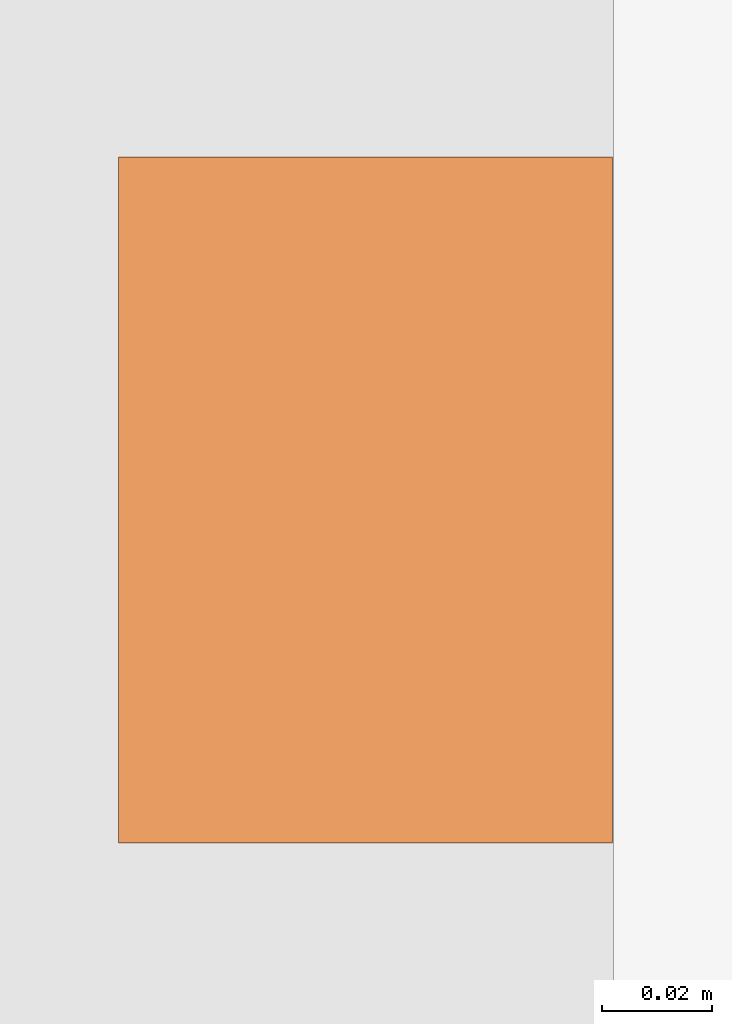
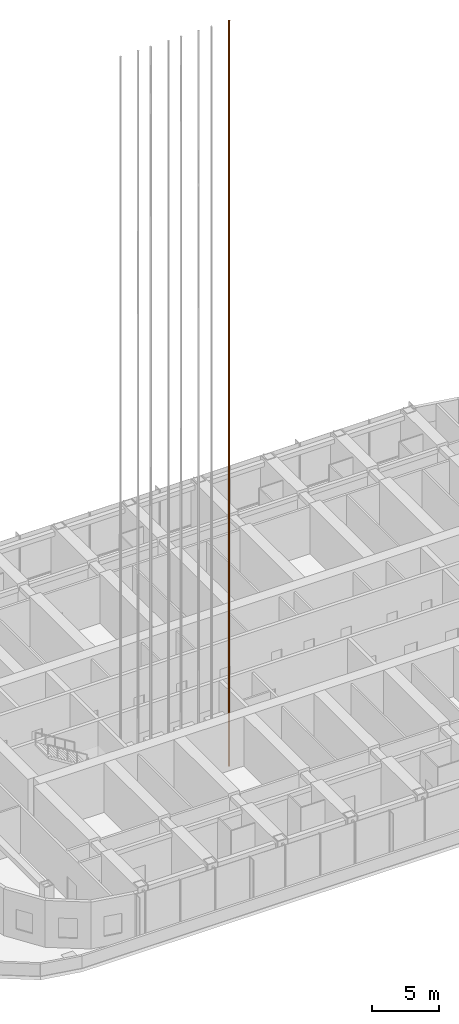
# One storey, part 32 of 32: 1 proxy.
"""IFC4 building model written with IfcOpenShell, lengths in metres."""

from ifc_helpers import new_model, si_unit, direction, frame, origin, origin_2d, place, context, subcontext, project, spatial, rectangle, extrude, material, element, save


model = new_model("IFC4")

# Units and contexts
model_context = context("Model", 3, precision=1e-05, world=origin(), true_north=direction((0.0, 1.0)))
body_context = subcontext(model_context, "Body", "Model", "MODEL_VIEW")
ifc_project = project(units=[si_unit("LENGTHUNIT", "METRE"), si_unit("AREAUNIT", "SQUARE_METRE"), si_unit("VOLUMEUNIT", "CUBIC_METRE"), si_unit("PLANEANGLEUNIT", "RADIAN"), si_unit("MASSUNIT", "GRAM", prefix="KILO")], contexts=[model_context])

# Site, building, storey
site_placement = place(None, origin())
site = spatial("IfcSite", under=ifc_project, at=site_placement, CompositionType="ELEMENT")
building_placement = place(site_placement, origin())
building = spatial("IfcBuilding", under=site, at=building_placement, Name="Orbita Commons", CompositionType="ELEMENT")
storey_placement = place(building_placement, frame((0.0, 0.0, 140.35009765625)))
storey = spatial("IfcBuildingStorey", under=building, at=storey_placement, Name="L34", CompositionType="ELEMENT", Elevation=140.35009765625)

# Proxy
ifc_material = material(Name="Machined steel guide rail", Category="steel")
placement = place(storey_placement, frame((35.10009765625, 28.10009765625, 0.0), z_axis=(0.0, 0.0, 1.0), x_axis=(1.0, 0.0, 0.0)))
proxy_placement = place(placement, frame((0.7548828125, 0.0, -1.800048828125)))
element("IfcBuildingElementProxy", 1, at=proxy_placement, inside=storey, material=ifc_material, Name="P34 guide rail 2", ObjectType="GUIDE RAIL", PredefinedType="USERDEFINED", context=body_context, shape_type="SweptSolid", body=[
    extrude(rectangle(XDim=0.09, YDim=0.125, at=origin_2d()), origin(), (0.0, 0.0, 1.0), 67.64990234375),
])

save(model, "model.ifc")
